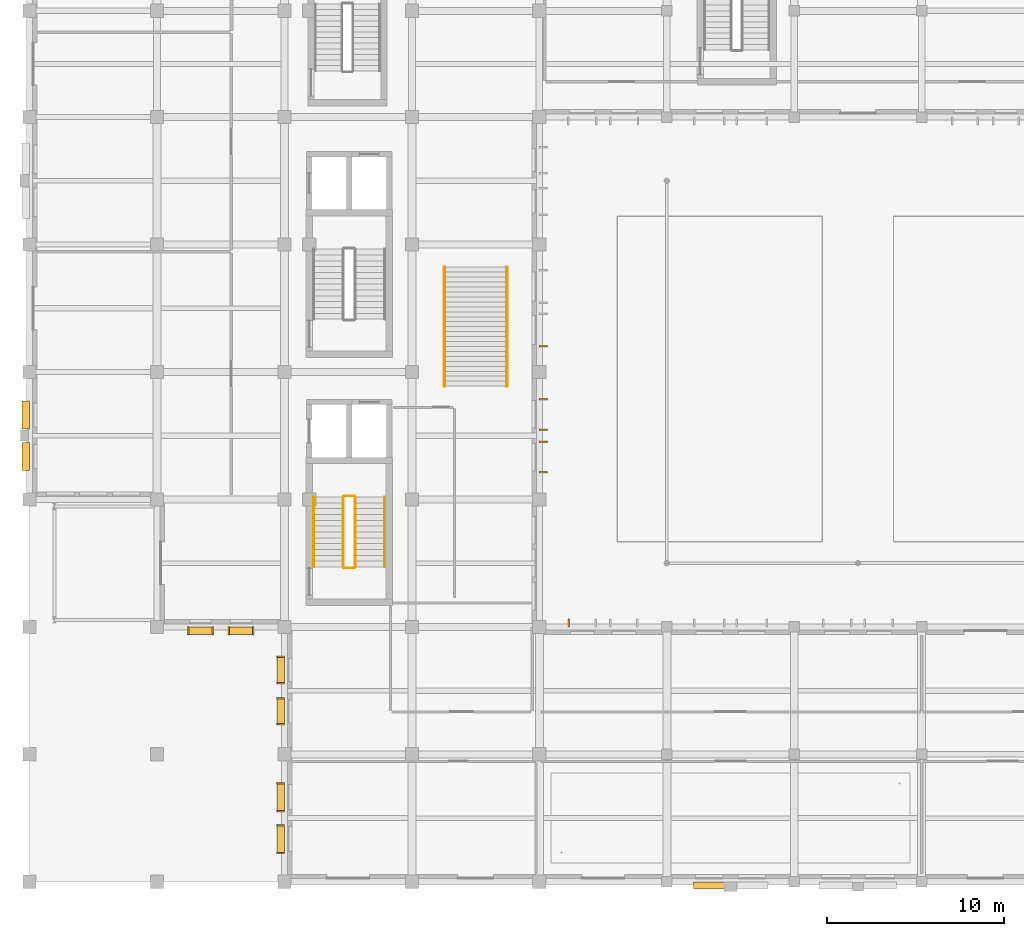
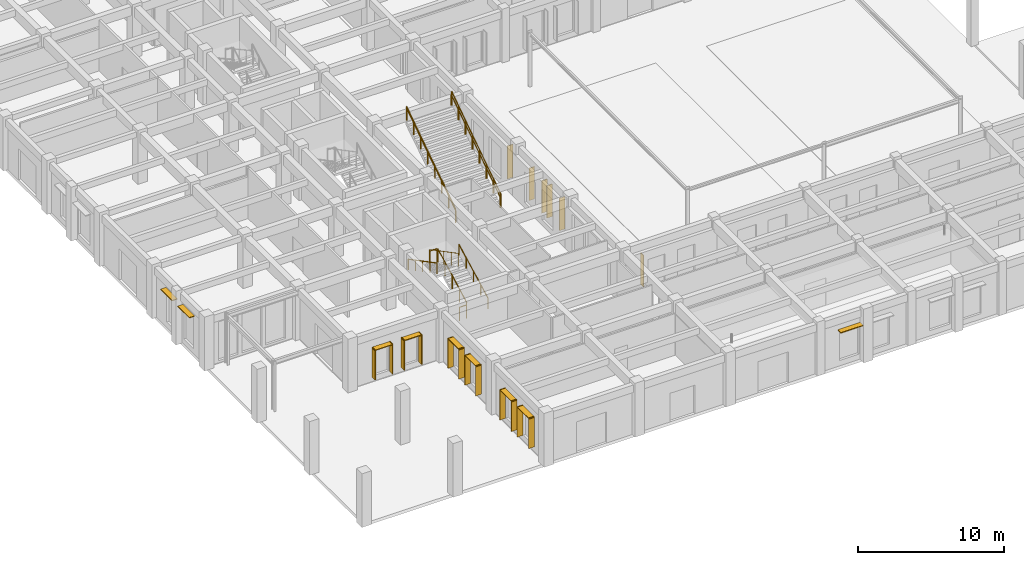
# One storey, part 35 of 43: 18 coverings, 10 railings, 9 shading devices.
"""IFC4 building model written with IfcOpenShell, lengths in metres."""

import ifcopenshell
import ifcopenshell.guid

model = None  # the IFC model being written
_history = None  # IfcOwnerHistory: only IFC2X3 demands one
_inside = {}  # id of a spatial element -> (the spatial element, [elements in it])
_under = {}  # id of a project, library or spatial element -> (it, [spatial elements below it])
_declared = {}  # id of a project -> (the project, [libraries it declares])
_typed = {}  # id of a type object -> (the type object, [elements of that type])
_made_of = {}  # id of a material, layer set ... -> (it, [elements and type objects made of it])


def new_model(schema):
    """Start an empty IFC model of exactly this schema.

    Asked for "IFC4X3", IfcOpenShell would pick the latest addendum, in which some entities
    have other attributes; the version numbers below select the first issue.
    IFC2X3 requires an IfcOwnerHistory on every rooted entity: one is made here for all.
    """
    global model, _history
    if schema == "IFC4X3":
        model = ifcopenshell.file(schema_version=(4, 3, 0, 0))
    else:
        model = ifcopenshell.file(schema=schema)
    _inside.clear()
    _under.clear()
    _declared.clear()
    _typed.clear()
    _made_of.clear()
    _history = None
    if model.schema == "IFC2X3":
        org = make("IfcOrganization", Name="unknown")
        user = make(
            "IfcPersonAndOrganization",
            ThePerson=make("IfcPerson", FamilyName="unknown"),
            TheOrganization=org,
        )
        app = make(
            "IfcApplication",
            ApplicationDeveloper=org,
            Version="unknown",
            ApplicationFullName="unknown",
            ApplicationIdentifier="unknown",
        )
        _history = make(
            "IfcOwnerHistory",
            OwningUser=user,
            OwningApplication=app,
            ChangeAction="ADDED",
            CreationDate=0,
        )
    return model


def make(cls, **values):
    """One entity of the class cls with the attributes given. An attribute that is None is left unset."""
    return model.create_entity(
        cls, **{name: value for name, value in values.items() if value is not None}
    )


def rooted(cls, **values):
    """An entity with a GlobalId (a new one), such as an element, a storey or a relation."""
    return make(cls, GlobalId=ifcopenshell.guid.new(), OwnerHistory=_history, **values)


def si_unit(unit_type, name, prefix=None):
    """IfcSIUnit, for example si_unit("LENGTHUNIT", "METRE", prefix="MILLI")."""
    return make("IfcSIUnit", UnitType=unit_type, Prefix=prefix, Name=name)


def assignment(units):
    """IfcUnitAssignment: the units of a project."""
    return None if units is None else make("IfcUnitAssignment", Units=units)


def point(xyz):
    """IfcCartesianPoint."""
    return None if xyz is None else make("IfcCartesianPoint", Coordinates=xyz)


def direction(xyz):
    """IfcDirection."""
    return None if xyz is None else make("IfcDirection", DirectionRatios=xyz)


def frame(location, z_axis=None, x_axis=None):
    """IfcAxis2Placement3D, a coordinate frame: its origin and axes. An axis left out is left unset."""
    return make(
        "IfcAxis2Placement3D",
        Location=point(location),
        Axis=direction(z_axis),
        RefDirection=direction(x_axis),
    )


def frame_2d(location, x_axis=None):
    """IfcAxis2Placement2D, a coordinate frame in the plane: its origin and x axis."""
    return make(
        "IfcAxis2Placement2D", Location=point(location), RefDirection=direction(x_axis)
    )


def origin():
    """The frame at (0, 0, 0) with its axes left unset."""
    return frame((0.0, 0.0, 0.0))


def origin_2d():
    """The frame at (0, 0) in the plane with its x axis left unset."""
    return frame_2d((0.0, 0.0))


def place(relative_to, where):
    """IfcLocalPlacement: puts the frame where relative to a parent placement (None: the world)."""
    return make(
        "IfcLocalPlacement", PlacementRelTo=relative_to, RelativePlacement=where
    )


def context(
    kind, dimensions, precision=None, world=None, true_north=None, identifier=None
):
    """IfcGeometricRepresentationContext, for example the 3D "Model" context."""
    return make(
        "IfcGeometricRepresentationContext",
        ContextIdentifier=identifier,
        ContextType=kind,
        CoordinateSpaceDimension=dimensions,
        Precision=precision,
        WorldCoordinateSystem=world,
        TrueNorth=true_north,
    )


def subcontext(parent, identifier, kind, view, scale=None):
    """IfcGeometricRepresentationSubContext, for example "Body" below "Model"."""
    return make(
        "IfcGeometricRepresentationSubContext",
        ContextIdentifier=identifier,
        ContextType=kind,
        ParentContext=parent,
        TargetScale=scale,
        TargetView=view,
    )


def project(units=None, contexts=None):
    """IfcProject with its units and contexts."""
    return rooted(
        "IfcProject",
        Name="project",
        RepresentationContexts=contexts,
        UnitsInContext=assignment(units),
    )


def spatial(cls, under=None, at=None, **own):
    """A site, building, storey or space (cls), placed at a placement, below another one or the project."""
    s = rooted(cls, ObjectPlacement=at, **own)
    if under is not None:
        _under.setdefault(under.id(), (under, []))[1].append(s)
    return s


def polyline(points):
    """IfcPolyline through the points."""
    return make("IfcPolyline", Points=[point(p) for p in points])


def profile(cls, at=None, kind="AREA", **sizes):
    """A parametric profile (cls). Its sizes go by their IFC names, for example OverallWidth=200.0."""
    return make(cls, ProfileType=kind, Position=at, **sizes)


def rectangle(**sizes):
    """IfcRectangleProfileDef."""
    return profile("IfcRectangleProfileDef", **sizes)


def circle(**sizes):
    """IfcCircleProfileDef."""
    return profile("IfcCircleProfileDef", **sizes)


def outline(outer, holes=None, kind="AREA"):
    """IfcArbitraryClosedProfileDef: a profile drawn as a closed curve; with holes, ...WithVoids."""
    if holes is None:
        return make("IfcArbitraryClosedProfileDef", ProfileType=kind, OuterCurve=outer)
    return make(
        "IfcArbitraryProfileDefWithVoids",
        ProfileType=kind,
        OuterCurve=outer,
        InnerCurves=holes,
    )


def extrude(swept, where, along, depth):
    """IfcExtrudedAreaSolid: the profile swept, set in the frame where, extruded along a direction by depth."""
    return make(
        "IfcExtrudedAreaSolid",
        SweptArea=swept,
        Position=where,
        ExtrudedDirection=direction(along),
        Depth=depth,
    )


def shape(context_of_items, identifier, shape_type, items):
    """IfcShapeRepresentation: the items that make up one representation, for example the "Body"."""
    return make(
        "IfcShapeRepresentation",
        ContextOfItems=context_of_items,
        RepresentationIdentifier=identifier,
        RepresentationType=shape_type,
        Items=items,
    )


def material(Name=None, Category=None):
    """IfcMaterial."""
    return make("IfcMaterial", Name=Name, Category=Category)


def layer(
    of_material, thickness, ventilated=None, Name=None, Category=None, Priority=None
):
    """IfcMaterialLayer: one layer of a wall or slab, of a material (None: an air gap)."""
    return make(
        "IfcMaterialLayer",
        Material=of_material,
        LayerThickness=thickness,
        IsVentilated=ventilated,
        Name=Name,
        Category=Category,
        Priority=Priority,
    )


def layer_set(layers, Name=None):
    """IfcMaterialLayerSet."""
    return make("IfcMaterialLayerSet", MaterialLayers=layers, LayerSetName=Name)


def made_of(thing, what):
    """Note that an element or type object is made of a material, layer set ...; save() writes the relation."""
    if what is not None:
        _made_of.setdefault(what.id(), (what, []))[1].append(thing)
    return thing


def type_object(cls, material=None, **own):
    """A type object (cls), such as IfcWallType, which elements share."""
    return made_of(rooted(cls, **own), material)


def element(
    cls,
    number,
    at=None,
    inside=None,
    cuts=None,
    type_object=None,
    material=None,
    context=None,
    identifier="Body",
    shape_type=None,
    held_by="IfcProductDefinitionShape",
    body=None,
    shapes=None,
    **own,
):
    """One element of the class cls, such as IfcWall. Its Tag is "e" and its number.

    at: its placement. inside: the storey or other place that contains it. cuts: it is an
    opening in that element (IfcRelVoidsElement). A single representation is given by context,
    identifier, shape_type and body (its items); several are given by shapes. held_by: the class
    of the entity that holds the representations. save() writes the other relations.
    """
    e = rooted(cls, Tag="e%d" % number, ObjectPlacement=at, **own)
    if body is not None:
        shapes = [shape(context, identifier, shape_type, body)]
    if shapes is not None:
        e.Representation = make(held_by, Representations=shapes)
    if inside is not None:
        _inside.setdefault(inside.id(), (inside, []))[1].append(e)
    if cuts is not None:
        rooted(
            "IfcRelVoidsElement", RelatingBuildingElement=cuts, RelatedOpeningElement=e
        )
    if type_object is not None:
        _typed.setdefault(type_object.id(), (type_object, []))[1].append(e)
    return made_of(e, material)


def aggregate(whole, parts):
    """IfcRelAggregates: a whole, such as a stair, and the parts it consists of."""
    return rooted("IfcRelAggregates", RelatingObject=whole, RelatedObjects=parts)


def save(model, path):
    """Write the relations noted so far, then the file.

    IfcRelAggregates (storeys below a building ...), IfcRelContainedInSpatialStructure (elements
    in a storey), IfcRelDefinesByType, IfcRelAssociatesMaterial and IfcRelDeclares: one each for
    every whole, place, type object, material and project.
    """
    for whole, parts in _under.values():
        aggregate(whole, parts)
    for where, things in _inside.values():
        rooted(
            "IfcRelContainedInSpatialStructure",
            RelatedElements=things,
            RelatingStructure=where,
        )
    for kind, things in _typed.values():
        rooted("IfcRelDefinesByType", RelatedObjects=things, RelatingType=kind)
    for what, things in _made_of.values():
        rooted("IfcRelAssociatesMaterial", RelatedObjects=things, RelatingMaterial=what)
    for by, libraries in _declared.values():
        rooted("IfcRelDeclares", RelatingContext=by, RelatedDefinitions=libraries)
    model.write(path)


model = new_model("IFC4")

# Units and contexts
model_context = context("Model", 3, precision=1e-05, world=origin(), true_north=direction((0.0, 1.0)))
body_context = subcontext(model_context, "Body", "Model", "MODEL_VIEW")
ifc_project = project(units=[si_unit("LENGTHUNIT", "METRE"), si_unit("AREAUNIT", "SQUARE_METRE"), si_unit("VOLUMEUNIT", "CUBIC_METRE"), si_unit("PLANEANGLEUNIT", "RADIAN"), si_unit("MASSUNIT", "GRAM", prefix="KILO")], contexts=[model_context])

# Site, building, storey
site_placement = place(None, origin())
site = spatial("IfcSite", under=ifc_project, at=site_placement, CompositionType="ELEMENT")
building_placement = place(site_placement, origin())
building = spatial("IfcBuilding", under=site, at=building_placement, Name="Alvorim Cloister Faculty of Sciences", CompositionType="ELEMENT")
storey_placement = place(building_placement, origin())
storey = spatial("IfcBuildingStorey", under=building, at=storey_placement, Name="L00", CompositionType="ELEMENT", Elevation=0.0)

# Coverings
ifc_material_1 = material(Name="Anodised Aluminium Alloy 6063-T6", Category="aluminium")
ifc_layer = layer(ifc_material_1, 0.054931640625)
ifc_layer_set = layer_set([ifc_layer], Name="Anodised Aluminium Alloy 6063-T6")
covering_type = type_object("IfcCoveringType", Name="COV-SHD-FIN", PredefinedType="CLADDING", material=ifc_layer_set)
for number, where, z_axis, x_axis, name in (
    (1, (14.39990234375, 1.626708984375, 0.389892578125), (0.0, 0.0, 1.0), (-1.0, 0.0, 0.0), "L00 Brise-Soleil Vertical Fin COV-FIN-00009"),
    (2, (14.39990234375, 3.206787109375, 0.389892578125), (0.0, 0.0, 1.0), (-1.0, 0.0, 0.0), "L00 Brise-Soleil Vertical Fin COV-FIN-00010"),
    (3, (14.39990234375, 3.993408203125, 0.389892578125), (0.0, 0.0, 1.0), (-1.0, 0.0, 0.0), "L00 Brise-Soleil Vertical Fin COV-FIN-00011"),
    (4, (14.39990234375, 5.5732421875, 0.389892578125), (0.0, 0.0, 1.0), (-1.0, 0.0, 0.0), "L00 Brise-Soleil Vertical Fin COV-FIN-00012"),
):
    element("IfcCovering", number, at=place(storey_placement, frame(where, z_axis=z_axis, x_axis=x_axis)), inside=storey, type_object=covering_type, Name=name, PredefinedType="CLADDING", context=body_context, shape_type="SweptSolid", body=[
        extrude(outline(polyline([(0.0, 0.0), (0.43994140625, 0.0), (0.43994140625, 2.5400390625), (0.0, 2.5400390625), (0.0, 0.0)])), frame((0.0, 0.02734375, 0.0), z_axis=(0.0, -1.0, 0.0), x_axis=(1.0, 0.0, 0.0)), (0.0, 0.0, 1.0), 0.054931640625),
    ])
for number, where, z_axis, x_axis, name in (
    (5, (14.39990234375, 8.893310546875, 0.389892578125), (0.0, 0.0, 1.0), (-1.0, 0.0, 0.0), "L00 Brise-Soleil Vertical Fin COV-FIN-00013"),
    (6, (14.39990234375, 10.373291015625, 0.389892578125), (0.0, 0.0, 1.0), (-1.0, 0.0, 0.0), "L00 Brise-Soleil Vertical Fin COV-FIN-00014"),
    (7, (14.39990234375, 11.226806640625, 0.389892578125), (0.0, 0.0, 1.0), (-1.0, 0.0, 0.0), "L00 Brise-Soleil Vertical Fin COV-FIN-00015"),
    (8, (14.39990234375, 12.706787109375, 0.389892578125), (0.0, 0.0, 1.0), (-1.0, 0.0, 0.0), "L00 Brise-Soleil Vertical Fin COV-FIN-00016"),
    (9, (8.9599609375, 14.39990234375, 0.389892578125), (0.0, 0.0, 1.0), (0.0, -1.0, 0.0), "L00 Brise-Soleil Vertical Fin COV-FIN-00017"),
    (10, (10.340087890625, 14.39990234375, 0.389892578125), (0.0, 0.0, 1.0), (0.0, -1.0, 0.0), "L00 Brise-Soleil Vertical Fin COV-FIN-00018"),
    (11, (11.260009765625, 14.39990234375, 0.389892578125), (0.0, 0.0, 1.0), (0.0, -1.0, 0.0), "L00 Brise-Soleil Vertical Fin COV-FIN-00019"),
    (12, (12.639892578125, 14.39990234375, 0.389892578125), (0.0, 0.0, 1.0), (0.0, -1.0, 0.0), "L00 Brise-Soleil Vertical Fin COV-FIN-00020"),
):
    element("IfcCovering", number, at=place(storey_placement, frame(where, z_axis=z_axis, x_axis=x_axis)), inside=storey, type_object=covering_type, Name=name, PredefinedType="CLADDING", context=body_context, shape_type="SweptSolid", body=[
        extrude(outline(polyline([(0.0, 0.0), (0.43994140625, 0.0), (0.43994140625, 2.510009765625), (0.0, 2.510009765625), (0.0, 0.0)])), frame((0.0, 0.02734375, 0.0), z_axis=(0.0, -1.0, 0.0), x_axis=(1.0, 0.0, 0.0)), (0.0, 0.0, 1.0), 0.054931640625),
    ])
covering_1_placement = place(storey_placement, frame((28.800048828125, 30.260009765625, 0.389892578125), z_axis=(0.0, 0.0, 1.0), x_axis=(1.0, 0.0, 0.0)))
element("IfcCovering", 13, at=covering_1_placement, inside=storey, type_object=covering_type, Name="L00 Brise-Soleil Vertical Fin COV-FIN-00103", PredefinedType="CLADDING", context=body_context, shape_type="SweptSolid", body=[
    extrude(outline(polyline([(0.0, 0.0), (0.43994140625, 0.0), (0.43994140625, 2.760009765625), (0.0, 2.760009765625), (0.0, 0.0)])), frame((0.0, 0.02734375, 0.0), z_axis=(0.0, -1.0, 0.0), x_axis=(1.0, 0.0, 0.0)), (0.0, 0.0, 1.0), 0.054931640625),
])
for number, where, z_axis, x_axis, name in (
    (14, (28.800048828125, 23.126708984375, 0.389892578125), (0.0, 0.0, 1.0), (1.0, 0.0, 0.0), "L00 Brise-Soleil Vertical Fin COV-FIN-00107"),
    (15, (28.800048828125, 24.856689453125, 0.389892578125), (0.0, 0.0, 1.0), (1.0, 0.0, 0.0), "L00 Brise-Soleil Vertical Fin COV-FIN-00108"),
    (16, (28.800048828125, 25.543212890625, 0.389892578125), (0.0, 0.0, 1.0), (1.0, 0.0, 0.0), "L00 Brise-Soleil Vertical Fin COV-FIN-00109"),
    (17, (28.800048828125, 27.273193359375, 0.389892578125), (0.0, 0.0, 1.0), (1.0, 0.0, 0.0), "L00 Brise-Soleil Vertical Fin COV-FIN-00110"),
):
    element("IfcCovering", number, at=place(storey_placement, frame(where, z_axis=z_axis, x_axis=x_axis)), inside=storey, type_object=covering_type, Name=name, PredefinedType="CLADDING", context=body_context, shape_type="SweptSolid", body=[
        extrude(outline(polyline([(0.0, 0.0), (0.43994140625, 0.0), (0.43994140625, 2.710205078125), (0.0, 2.710205078125), (0.0, 0.0)])), frame((0.0, 0.02734375, 0.0), z_axis=(0.0, -1.0, 0.0), x_axis=(1.0, 0.0, 0.0)), (0.0, 0.0, 1.0), 0.054931640625),
    ])
covering_2_placement = place(storey_placement, frame((30.4599609375, 14.39990234375, 0.389892578125), z_axis=(0.0, 0.0, 1.0), x_axis=(0.0, 1.0, 0.0)))
element("IfcCovering", 18, at=covering_2_placement, inside=storey, type_object=covering_type, Name="L00 Brise-Soleil Vertical Fin COV-FIN-00111", PredefinedType="CLADDING", context=body_context, shape_type="SweptSolid", body=[
    extrude(outline(polyline([(0.0, 0.0), (0.43994140625, 0.0), (0.43994140625, 2.610107421875), (0.0, 2.610107421875), (0.0, 0.0)])), frame((0.0, 0.02734375, 0.0), z_axis=(0.0, -1.0, 0.0), x_axis=(1.0, 0.0, 0.0)), (0.0, 0.0, 1.0), 0.054931640625),
])

# Railings
ifc_material_2 = material(Name="Brushed Bronze", Category="metal")
railing_type_1 = type_object("IfcRailingType", Name="RL-MON-HAND", PredefinedType="HANDRAIL", material=ifc_material_2)
for number, where, name in (
    (19, (26.945068359375, 28.0, 0.0), "MST-L00-V5 Handrail 1"),
    (20, (23.455078125, 28.0, 0.0), "MST-L00-V5 Handrail 2"),
):
    element("IfcRailing", number, at=place(storey_placement, frame(where)), inside=storey, type_object=railing_type_1, Name=name, PredefinedType="HANDRAIL", context=body_context, shape_type="SweptSolid", body=[
        extrude(circle(Radius=0.02392578125, at=origin_2d()), frame((0.0, 0.0, 0.89599609375), z_axis=(0.0, 0.830906055479, 0.556412730775), x_axis=(-1.0, 0.0, 0.0)), (0.0, 0.0, 1.0), 8.08740234375),
        extrude(circle(Radius=0.02099609375, at=origin_2d()), origin(), (0.0, 0.0, 1.0), 0.871826171875),
        extrude(circle(Radius=0.02099609375, at=origin_2d()), frame((0.0, 0.9599609375, 0.642822265625)), (0.0, 0.0, 1.0), 0.871826171875),
        extrude(circle(Radius=0.02099609375, at=origin_2d()), frame((0.0, 1.919921875, 1.28564453125)), (0.0, 0.0, 1.0), 0.871826171875),
        extrude(circle(Radius=0.02099609375, at=origin_2d()), frame((0.0, 2.8798828125, 1.928466796875)), (0.0, 0.0, 1.0), 0.871826171875),
        extrude(circle(Radius=0.02099609375, at=origin_2d()), frame((0.0, 3.840087890625, 2.571533203125)), (0.0, 0.0, 1.0), 0.871826171875),
        extrude(circle(Radius=0.02099609375, at=origin_2d()), frame((0.0, 4.800048828125, 3.21435546875)), (0.0, 0.0, 1.0), 0.871826171875),
        extrude(circle(Radius=0.02099609375, at=origin_2d()), frame((0.0, 5.760009765625, 3.857177734375)), (0.0, 0.0, 1.0), 0.871826171875),
        extrude(circle(Radius=0.02099609375, at=origin_2d()), frame((0.0, 6.719970703125, 4.5)), (0.0, 0.0, 1.0), 0.871826171875),
    ])
ifc_material_3 = material(Name="Galvanised Painted Steel", Category="steel")
railing_type_2 = type_object("IfcRailingType", Name="RL-STR-GUARD", PredefinedType="GUARDRAIL", material=ifc_material_3)
railing_1_placement = place(storey_placement, frame((18.389892578125, 17.780029296875, 0.173095703125)))
element("IfcRailing", 21, at=railing_1_placement, inside=storey, type_object=railing_type_2, Name="L00 ST-01 stair guard 1", PredefinedType="GUARDRAIL", context=body_context, shape_type="SweptSolid", body=[
    extrude(circle(Radius=0.02392578125, at=origin_2d()), frame((0.0, 0.0, 1.09619140625), z_axis=(0.0, 0.885588829464, 0.464470047611), x_axis=(-1.0, 0.0, 0.0)), (0.0, 0.0, 1.0), 4.471435546875),
    extrude(circle(Radius=0.02099609375, at=origin_2d()), origin(), (0.0, 0.0, 1.0), 1.072021484375),
    extrude(circle(Radius=0.02099609375, at=origin_2d()), frame((0.0, 0.989990234375, 0.519287109375)), (0.0, 0.0, 1.0), 1.072021484375),
    extrude(circle(Radius=0.02099609375, at=origin_2d()), frame((0.0, 1.97998046875, 1.03857421875)), (0.0, 0.0, 1.0), 1.072021484375),
    extrude(circle(Radius=0.02099609375, at=origin_2d()), frame((0.0, 2.969970703125, 1.5576171875)), (0.0, 0.0, 1.0), 1.072021484375),
    extrude(circle(Radius=0.02099609375, at=origin_2d()), frame((0.0, 3.9599609375, 2.076904296875)), (0.0, 0.0, 1.0), 1.072021484375),
])
railing_2_placement = place(storey_placement, frame((18.340087890625, 21.7900390625, 2.25)))
element("IfcRailing", 22, at=railing_2_placement, inside=storey, type_object=railing_type_2, Name="L00 ST-01 stair guard 2", PredefinedType="GUARDRAIL", context=body_context, shape_type="SweptSolid", body=[
    extrude(circle(Radius=0.02392578125, at=origin_2d()), frame((0.0, 0.0, 1.09619140625), z_axis=(-1.0, 0.0, 0.0), x_axis=(0.0, -1.0, 0.0)), (0.0, 0.0, 1.0), 0.56005859375),
    extrude(circle(Radius=0.02099609375, at=origin_2d()), origin(), (0.0, 0.0, 1.0), 1.072021484375),
    extrude(circle(Radius=0.02099609375, at=origin_2d()), frame((-0.56005859375, 0.0, 0.0)), (0.0, 0.0, 1.0), 1.072021484375),
])
railing_3_placement = place(storey_placement, frame((17.72998046875, 21.739990234375, 2.423095703125)))
element("IfcRailing", 23, at=railing_3_placement, inside=storey, type_object=railing_type_2, Name="L00 ST-01 stair guard 3", PredefinedType="GUARDRAIL", context=body_context, shape_type="SweptSolid", body=[
    extrude(circle(Radius=0.02392578125, at=origin_2d()), frame((0.0, 0.0, 1.09619140625), z_axis=(0.0, -0.885588829464, 0.464470047611), x_axis=(1.0, 0.0, 0.0)), (0.0, 0.0, 1.0), 4.471435546875),
    extrude(circle(Radius=0.02099609375, at=origin_2d()), origin(), (0.0, 0.0, 1.0), 1.072021484375),
    extrude(circle(Radius=0.02099609375, at=origin_2d()), frame((0.0, -0.989990234375, 0.519287109375)), (0.0, 0.0, 1.0), 1.072021484375),
    extrude(circle(Radius=0.02099609375, at=origin_2d()), frame((0.0, -1.97998046875, 1.03857421875)), (0.0, 0.0, 1.0), 1.072021484375),
    extrude(circle(Radius=0.02099609375, at=origin_2d()), frame((0.0, -2.969970703125, 1.5576171875)), (0.0, 0.0, 1.0), 1.072021484375),
    extrude(circle(Radius=0.02099609375, at=origin_2d()), frame((0.0, -3.9599609375, 2.076904296875)), (0.0, 0.0, 1.0), 1.072021484375),
])
railing_4_placement = place(storey_placement, frame((18.340087890625, 17.72998046875, 0.0)))
element("IfcRailing", 24, at=railing_4_placement, inside=storey, type_object=railing_type_2, Name="L00 ST-01 stair guard 4", PredefinedType="GUARDRAIL", context=body_context, shape_type="SweptSolid", body=[
    extrude(circle(Radius=0.02392578125, at=origin_2d()), frame((0.0, 0.0, 1.09619140625), z_axis=(-1.0, 0.0, 0.0), x_axis=(0.0, -1.0, 0.0)), (0.0, 0.0, 1.0), 0.56005859375),
    extrude(circle(Radius=0.02099609375, at=origin_2d()), origin(), (0.0, 0.0, 1.0), 1.072021484375),
    extrude(circle(Radius=0.02099609375, at=origin_2d()), frame((-0.56005859375, 0.0, 0.0)), (0.0, 0.0, 1.0), 1.072021484375),
])
ifc_material_4 = material(Name="Brushed Stainless Steel", Category="steel")
railing_type_3 = type_object("IfcRailingType", Name="RL-STR-HAND", PredefinedType="HANDRAIL", material=ifc_material_4)
railing_5_placement = place(storey_placement, frame((20.070068359375, 17.780029296875, 0.173095703125)))
element("IfcRailing", 25, at=railing_5_placement, inside=storey, type_object=railing_type_3, Name="L00 ST-01 stair handrail 1", PredefinedType="HANDRAIL", context=body_context, shape_type="SweptSolid", body=[
    extrude(circle(Radius=0.02392578125, at=origin_2d()), frame((0.0, 0.0, 0.8759765625), z_axis=(0.0, 0.885588829464, 0.464470047611), x_axis=(-1.0, 0.0, 0.0)), (0.0, 0.0, 1.0), 4.471435546875),
    extrude(circle(Radius=0.02099609375, at=origin_2d()), origin(), (0.0, 0.0, 1.0), 0.851806640625),
    extrude(circle(Radius=0.02099609375, at=origin_2d()), frame((0.0, 0.989990234375, 0.519287109375)), (0.0, 0.0, 1.0), 0.851806640625),
    extrude(circle(Radius=0.02099609375, at=origin_2d()), frame((0.0, 1.97998046875, 1.03857421875)), (0.0, 0.0, 1.0), 0.851806640625),
    extrude(circle(Radius=0.02099609375, at=origin_2d()), frame((0.0, 2.969970703125, 1.5576171875)), (0.0, 0.0, 1.0), 0.851806640625),
    extrude(circle(Radius=0.02099609375, at=origin_2d()), frame((0.0, 3.9599609375, 2.076904296875)), (0.0, 0.0, 1.0), 0.851806640625),
])
railing_6_placement = place(storey_placement, frame((16.050048828125, 21.739990234375, 2.423095703125)))
element("IfcRailing", 26, at=railing_6_placement, inside=storey, type_object=railing_type_3, Name="L00 ST-01 stair handrail 2", PredefinedType="HANDRAIL", context=body_context, shape_type="SweptSolid", body=[
    extrude(circle(Radius=0.02392578125, at=origin_2d()), frame((0.0, 0.0, 0.8759765625), z_axis=(0.0, -0.885588829464, 0.464470047611), x_axis=(1.0, 0.0, 0.0)), (0.0, 0.0, 1.0), 4.471435546875),
    extrude(circle(Radius=0.02099609375, at=origin_2d()), origin(), (0.0, 0.0, 1.0), 0.851806640625),
    extrude(circle(Radius=0.02099609375, at=origin_2d()), frame((0.0, -0.989990234375, 0.519287109375)), (0.0, 0.0, 1.0), 0.851806640625),
    extrude(circle(Radius=0.02099609375, at=origin_2d()), frame((0.0, -1.97998046875, 1.03857421875)), (0.0, 0.0, 1.0), 0.851806640625),
    extrude(circle(Radius=0.02099609375, at=origin_2d()), frame((0.0, -2.969970703125, 1.5576171875)), (0.0, 0.0, 1.0), 0.851806640625),
    extrude(circle(Radius=0.02099609375, at=origin_2d()), frame((0.0, -3.9599609375, 2.076904296875)), (0.0, 0.0, 1.0), 0.851806640625),
])
railing_type_4 = type_object("IfcRailingType", Name="RL-TER-GUARD-1150", PredefinedType="GUARDRAIL", material=ifc_material_3)
for number, where, name in (
    (27, (26.985107421875, 28.0, 0.0), "MST-L00-V5 Flight Guard 1"),
    (28, (23.4150390625, 28.0, 0.0), "MST-L00-V5 Flight Guard 2"),
):
    element("IfcRailing", number, at=place(storey_placement, frame(where)), inside=storey, type_object=railing_type_4, Name=name, PredefinedType="GUARDRAIL", context=body_context, shape_type="SweptSolid", body=[
        extrude(circle(Radius=0.02392578125, at=origin_2d()), frame((0.0, 0.0, 1.1259765625), z_axis=(0.0, 0.830906055479, 0.556412730775), x_axis=(-1.0, 0.0, 0.0)), (0.0, 0.0, 1.0), 8.08740234375),
        extrude(circle(Radius=0.02099609375, at=origin_2d()), origin(), (0.0, 0.0, 1.0), 1.101806640625),
        extrude(circle(Radius=0.02099609375, at=origin_2d()), frame((0.0, 0.9599609375, 0.642822265625)), (0.0, 0.0, 1.0), 1.101806640625),
        extrude(circle(Radius=0.02099609375, at=origin_2d()), frame((0.0, 1.919921875, 1.28564453125)), (0.0, 0.0, 1.0), 1.101806640625),
        extrude(circle(Radius=0.02099609375, at=origin_2d()), frame((0.0, 2.8798828125, 1.928466796875)), (0.0, 0.0, 1.0), 1.101806640625),
        extrude(circle(Radius=0.02099609375, at=origin_2d()), frame((0.0, 3.840087890625, 2.571533203125)), (0.0, 0.0, 1.0), 1.101806640625),
        extrude(circle(Radius=0.02099609375, at=origin_2d()), frame((0.0, 4.800048828125, 3.21435546875)), (0.0, 0.0, 1.0), 1.101806640625),
        extrude(circle(Radius=0.02099609375, at=origin_2d()), frame((0.0, 5.760009765625, 3.857177734375)), (0.0, 0.0, 1.0), 1.101806640625),
        extrude(circle(Radius=0.02099609375, at=origin_2d()), frame((0.0, 6.719970703125, 4.5)), (0.0, 0.0, 1.0), 1.101806640625),
    ])

# Shading devices
ifc_material_5 = material(Name="Perforated Bronze Alloy Sheet", Category="metal")
shading_device_type = type_object("IfcShadingDeviceType", Name="SHD-BRZ-FIN", PredefinedType="JALOUSIE", material=ifc_material_5)
shading_device_placement = place(storey_placement, frame((38.3916015625, -0.2099609375, 3.02001953125), z_axis=(0.0, 0.0, 1.0), x_axis=(1.0, 0.0, 0.0)))
element("IfcShadingDevice", 29, at=shading_device_placement, inside=storey, type_object=shading_device_type, Name="L00 Brise-Soleil Sun Hood SHD-0009", PredefinedType="JALOUSIE", context=body_context, shape_type="SweptSolid", body=[
    extrude(rectangle(XDim=1.7900390625, YDim=0.419921875, at=origin_2d()), origin(), (0.0, 0.0, 1.0), 0.06005859375),
])
for number, where, z_axis, x_axis, name in (
    (30, (14.18994140625, 2.416748046875, 2.849853515625), (0.0, 0.0, 1.0), (1.0, 0.0, 0.0), "L00 Brise-Soleil Sun Hood SHD-0011"),
    (31, (14.18994140625, 4.783203125, 2.849853515625), (0.0, 0.0, 1.0), (1.0, 0.0, 0.0), "L00 Brise-Soleil Sun Hood SHD-0012"),
):
    element("IfcShadingDevice", number, at=place(storey_placement, frame(where, z_axis=z_axis, x_axis=x_axis)), inside=storey, type_object=shading_device_type, Name=name, PredefinedType="JALOUSIE", context=body_context, shape_type="SweptSolid", body=[
        extrude(rectangle(XDim=0.419921875, YDim=1.639892578125, at=origin_2d()), origin(), (0.0, 0.0, 1.0), 0.06005859375),
    ])
for number, where, z_axis, x_axis, name in (
    (32, (14.18994140625, 9.63330078125, 2.820068359375), (0.0, 0.0, 1.0), (1.0, 0.0, 0.0), "L00 Brise-Soleil Sun Hood SHD-0013"),
    (33, (14.18994140625, 11.966796875, 2.820068359375), (0.0, 0.0, 1.0), (1.0, 0.0, 0.0), "L00 Brise-Soleil Sun Hood SHD-0014"),
):
    element("IfcShadingDevice", number, at=place(storey_placement, frame(where, z_axis=z_axis, x_axis=x_axis)), inside=storey, type_object=shading_device_type, Name=name, PredefinedType="JALOUSIE", context=body_context, shape_type="SweptSolid", body=[
        extrude(rectangle(XDim=0.419921875, YDim=1.5400390625, at=origin_2d()), origin(), (0.0, 0.0, 1.0), 0.06005859375),
    ])
for number, where, z_axis, x_axis, name in (
    (34, (9.64990234375, 14.18994140625, 2.820068359375), (0.0, 0.0, 1.0), (1.0, 0.0, 0.0), "L00 Brise-Soleil Sun Hood SHD-0015"),
    (35, (11.949951171875, 14.18994140625, 2.820068359375), (0.0, 0.0, 1.0), (1.0, 0.0, 0.0), "L00 Brise-Soleil Sun Hood SHD-0016"),
):
    element("IfcShadingDevice", number, at=place(storey_placement, frame(where, z_axis=z_axis, x_axis=x_axis)), inside=storey, type_object=shading_device_type, Name=name, PredefinedType="JALOUSIE", context=body_context, shape_type="SweptSolid", body=[
        extrude(rectangle(XDim=1.43994140625, YDim=0.419921875, at=origin_2d()), origin(), (0.0, 0.0, 1.0), 0.06005859375),
    ])
for number, where, z_axis, x_axis, name in (
    (36, (-0.2099609375, 24.02490234375, 3.219970703125), (0.0, 0.0, 1.0), (1.0, 0.0, 0.0), "L00 Brise-Soleil Sun Hood SHD-0017"),
    (37, (-0.2099609375, 26.375, 3.219970703125), (0.0, 0.0, 1.0), (1.0, 0.0, 0.0), "L00 Brise-Soleil Sun Hood SHD-0018"),
):
    element("IfcShadingDevice", number, at=place(storey_placement, frame(where, z_axis=z_axis, x_axis=x_axis)), inside=storey, type_object=shading_device_type, Name=name, PredefinedType="JALOUSIE", context=body_context, shape_type="SweptSolid", body=[
        extrude(rectangle(XDim=0.419921875, YDim=1.590087890625, at=origin_2d()), origin(), (0.0, 0.0, 1.0), 0.06005859375),
    ])

save(model, "model.ifc")
